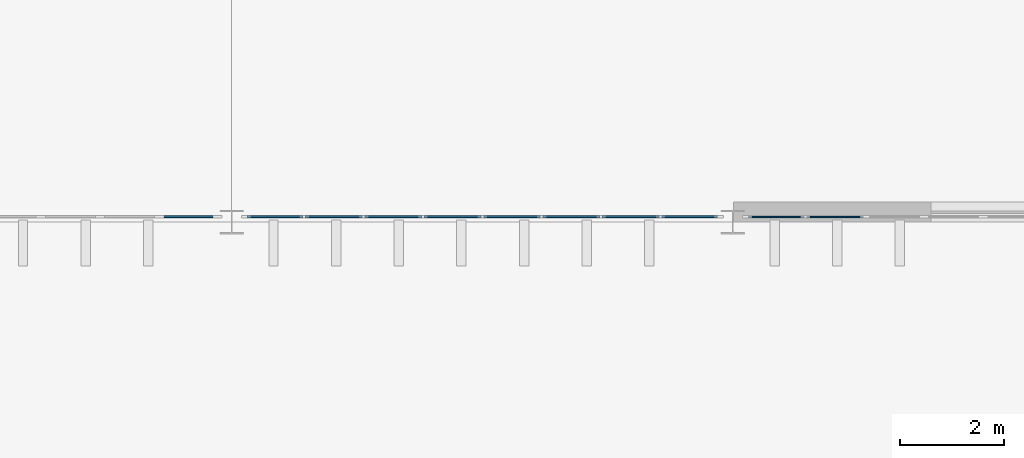
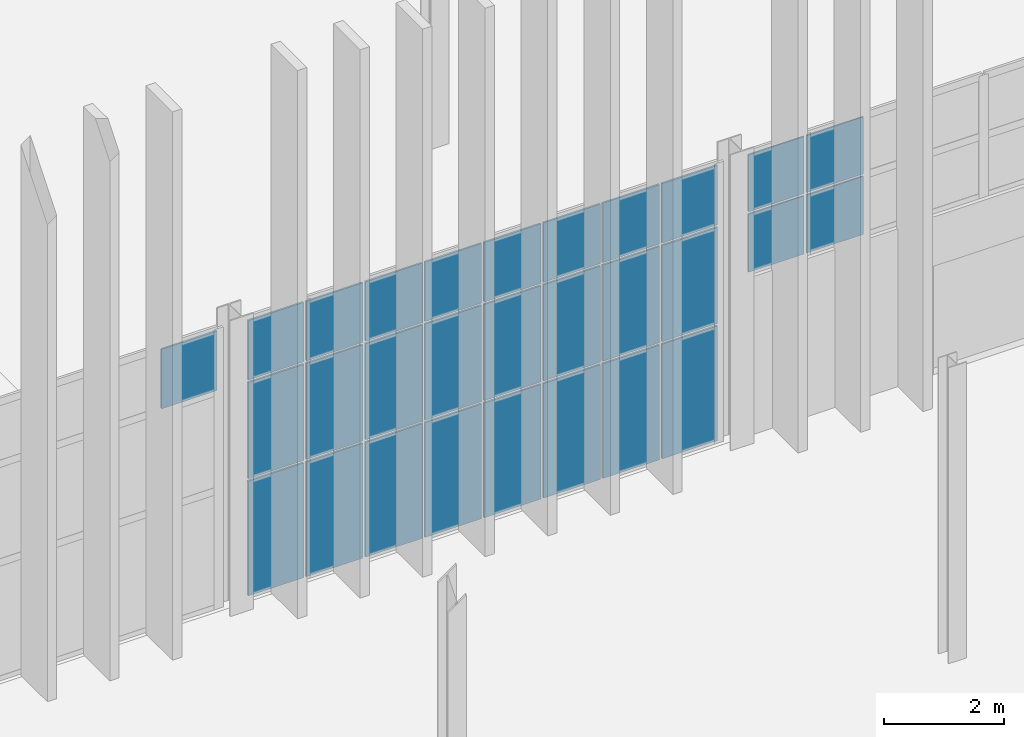
# One storey, part 74 of 139: 29 plates, 3 elements without a shape of their own.
"""IFC4 building model written with IfcOpenShell, lengths in metres."""

from ifc_helpers import new_model, si_unit, direction, frame, origin, origin_2d, place, context, subcontext, project, spatial, rectangle, extrude, material, layer, layer_set, type_object, element, aggregate, save


model = new_model("IFC4")

# Units and contexts
model_context = context("Model", 3, precision=1e-05, world=origin(), true_north=direction((0.0, 1.0)))
body_context = subcontext(model_context, "Body", "Model", "MODEL_VIEW")
ifc_project = project(units=[si_unit("LENGTHUNIT", "METRE"), si_unit("AREAUNIT", "SQUARE_METRE"), si_unit("VOLUMEUNIT", "CUBIC_METRE"), si_unit("PLANEANGLEUNIT", "RADIAN"), si_unit("MASSUNIT", "GRAM", prefix="KILO")], contexts=[model_context])

# Site, building, storey
site_placement = place(None, origin())
site = spatial("IfcSite", under=ifc_project, at=site_placement, CompositionType="ELEMENT")
building_placement = place(site_placement, origin())
building = spatial("IfcBuilding", under=site, at=building_placement, Name="Yeouljin Market Hall", CompositionType="ELEMENT")
storey_placement = place(building_placement, origin())
storey = spatial("IfcBuildingStorey", under=building, at=storey_placement, Name="L00", CompositionType="ELEMENT", Elevation=0.0)

# Curtain wall, plates
ifc_material_1 = material(Name="Thermally Broken Aluminium", Category="aluminium")
ifc_layer_1 = layer(ifc_material_1, 0.179931640625)
ifc_layer_set_1 = layer_set([ifc_layer_1], Name="Thermally Broken Aluminium")
curtain_wall_type = type_object("IfcCurtainWallType", Name="CW_HallNave_System", PredefinedType="USERDEFINED", material=ifc_layer_set_1)
curtain_wall_1_placement = place(storey_placement, origin())
curtain_wall_1 = element("IfcCurtainWall", 1, at=curtain_wall_1_placement, inside=storey, type_object=curtain_wall_type, Name="Curtain wall CW-V1S-L00-10", ObjectType="CURTAIN WALL", PredefinedType="USERDEFINED")
ifc_material_2 = material(Name="Low-E Insulated Glass", Category="glass")
ifc_layer_2 = layer(ifc_material_2, 0.028076171875)
ifc_layer_set_2 = layer_set([ifc_layer_2], Name="Low-E Insulated Glass")
plate_type_1 = type_object("IfcPlateType", Name="CWPanel_LowE_28", PredefinedType="CURTAIN_PANEL", material=ifc_layer_set_2)
plate_1_placement = place(storey_placement, frame((123.75634765625, 36.10009765625, 3.248046875), z_axis=(0.0, 0.0, 1.0), x_axis=(-1.0, 0.0, 0.0)))
plate_1 = element("IfcPlate", 2, at=plate_1_placement, type_object=plate_type_1, Name="CW-01 panel 7.1", PredefinedType="CURTAIN_PANEL", context=body_context, shape_type="SweptSolid", body=[
    extrude(rectangle(XDim=1.089599609375, YDim=0.028076171875, at=origin_2d()), origin(), (0.0, 0.0, 1.0), 1.177978515625),
])
plate_2_placement = place(storey_placement, frame((123.75634765625, 36.10009765625, 4.47412109375), z_axis=(0.0, 0.0, 1.0), x_axis=(-1.0, 0.0, 0.0)))
plate_2 = element("IfcPlate", 3, at=plate_2_placement, type_object=plate_type_1, Name="CW-01 panel 7.2", PredefinedType="CURTAIN_PANEL", context=body_context, shape_type="SweptSolid", body=[
    extrude(rectangle(XDim=1.089599609375, YDim=0.028076171875, at=origin_2d()), origin(), (0.0, 0.0, 1.0), 1.157958984375),
])
plate_3_placement = place(storey_placement, frame((122.630859375, 36.10009765625, 3.248046875), z_axis=(0.0, 0.0, 1.0), x_axis=(-1.0, 0.0, 0.0)))
plate_3 = element("IfcPlate", 4, at=plate_3_placement, type_object=plate_type_1, Name="CW-01 panel 8.1", PredefinedType="CURTAIN_PANEL", context=body_context, shape_type="SweptSolid", body=[
    extrude(rectangle(XDim=1.0654296875, YDim=0.028076171875, at=origin_2d()), origin(), (0.0, 0.0, 1.0), 1.177978515625),
])
plate_4_placement = place(storey_placement, frame((122.630859375, 36.10009765625, 4.47412109375), z_axis=(0.0, 0.0, 1.0), x_axis=(-1.0, 0.0, 0.0)))
plate_4 = element("IfcPlate", 5, at=plate_4_placement, type_object=plate_type_1, Name="CW-01 panel 8.2", PredefinedType="CURTAIN_PANEL", context=body_context, shape_type="SweptSolid", body=[
    extrude(rectangle(XDim=1.0654296875, YDim=0.028076171875, at=origin_2d()), origin(), (0.0, 0.0, 1.0), 1.157958984375),
])
aggregate(curtain_wall_1, [plate_1, plate_2, plate_3, plate_4])

# Curtain wall, plate
curtain_wall_2_placement = place(storey_placement, origin())
curtain_wall_2 = element("IfcCurtainWall", 6, at=curtain_wall_2_placement, inside=storey, type_object=curtain_wall_type, Name="Curtain wall CW-V1S-L00-08", ObjectType="CURTAIN WALL", PredefinedType="USERDEFINED")
ifc_material_3 = material(Name="Low-E Insulated Glass", Category="glass")
ifc_layer_3 = layer(ifc_material_3, 0.035888671875)
ifc_layer_set_3 = layer_set([ifc_layer_3], Name="Low-E Insulated Glass")
plate_type_2 = type_object("IfcPlateType", Name="CWPanel_TripleLowE_36", PredefinedType="CURTAIN_PANEL", material=ifc_layer_set_3)
plate_5_placement = place(storey_placement, frame((111.369140625, 36.10009765625, 4.424072265625), z_axis=(0.0, 0.0, 1.0), x_axis=(-1.0, 0.0, 0.0)))
plate_5 = element("IfcPlate", 7, at=plate_5_placement, type_object=plate_type_2, Name="CW-01 panel 1.3", PredefinedType="CURTAIN_PANEL", context=body_context, shape_type="SweptSolid", body=[
    extrude(rectangle(XDim=1.0654296875, YDim=0.035888671875, at=origin_2d()), origin(), (0.0, 0.0, 1.0), 1.2080078125),
])
aggregate(curtain_wall_2, [plate_5])

# Curtain wall, plates
curtain_wall_3_placement = place(storey_placement, origin())
curtain_wall_3 = element("IfcCurtainWall", 8, at=curtain_wall_3_placement, inside=storey, type_object=curtain_wall_type, Name="Curtain wall CW-V1S-L00-09", ObjectType="CURTAIN WALL", PredefinedType="USERDEFINED")
plate_6_placement = place(storey_placement, frame((120.96923828125, 36.10009765625, 0.0478515625), z_axis=(0.0, 0.0, 1.0), x_axis=(-1.0, 0.0, 0.0)))
plate_6 = element("IfcPlate", 9, at=plate_6_placement, type_object=plate_type_2, Name="CW-01 panel 1.1", PredefinedType="CURTAIN_PANEL", context=body_context, shape_type="SweptSolid", body=[
    extrude(rectangle(XDim=1.0654296875, YDim=0.035888671875, at=origin_2d()), origin(), (0.0, 0.0, 1.0), 2.327880859375),
])
plate_7_placement = place(storey_placement, frame((120.96923828125, 36.10009765625, 2.423828125), z_axis=(0.0, 0.0, 1.0), x_axis=(-1.0, 0.0, 0.0)))
plate_7 = element("IfcPlate", 10, at=plate_7_placement, type_object=plate_type_2, Name="CW-01 panel 1.2", PredefinedType="CURTAIN_PANEL", context=body_context, shape_type="SweptSolid", body=[
    extrude(rectangle(XDim=1.0654296875, YDim=0.035888671875, at=origin_2d()), origin(), (0.0, 0.0, 1.0), 1.951904296875),
])
plate_8_placement = place(storey_placement, frame((120.96923828125, 36.10009765625, 4.424072265625), z_axis=(0.0, 0.0, 1.0), x_axis=(-1.0, 0.0, 0.0)))
plate_8 = element("IfcPlate", 11, at=plate_8_placement, type_object=plate_type_2, Name="CW-01 panel 1.3", PredefinedType="CURTAIN_PANEL", context=body_context, shape_type="SweptSolid", body=[
    extrude(rectangle(XDim=1.0654296875, YDim=0.035888671875, at=origin_2d()), origin(), (0.0, 0.0, 1.0), 1.2080078125),
])
plate_9_placement = place(storey_placement, frame((119.84375, 36.10009765625, 0.0478515625), z_axis=(0.0, 0.0, 1.0), x_axis=(-1.0, 0.0, 0.0)))
plate_9 = element("IfcPlate", 12, at=plate_9_placement, type_object=plate_type_2, Name="CW-01 panel 2.1", PredefinedType="CURTAIN_PANEL", context=body_context, shape_type="SweptSolid", body=[
    extrude(rectangle(XDim=1.089599609375, YDim=0.035888671875, at=origin_2d()), origin(), (0.0, 0.0, 1.0), 2.327880859375),
])
plate_10_placement = place(storey_placement, frame((119.84375, 36.10009765625, 2.423828125), z_axis=(0.0, 0.0, 1.0), x_axis=(-1.0, 0.0, 0.0)))
plate_10 = element("IfcPlate", 13, at=plate_10_placement, type_object=plate_type_2, Name="CW-01 panel 2.2", PredefinedType="CURTAIN_PANEL", context=body_context, shape_type="SweptSolid", body=[
    extrude(rectangle(XDim=1.089599609375, YDim=0.035888671875, at=origin_2d()), origin(), (0.0, 0.0, 1.0), 1.951904296875),
])
plate_11_placement = place(storey_placement, frame((119.84375, 36.10009765625, 4.424072265625), z_axis=(0.0, 0.0, 1.0), x_axis=(-1.0, 0.0, 0.0)))
plate_11 = element("IfcPlate", 14, at=plate_11_placement, type_object=plate_type_2, Name="CW-01 panel 2.3", PredefinedType="CURTAIN_PANEL", context=body_context, shape_type="SweptSolid", body=[
    extrude(rectangle(XDim=1.089599609375, YDim=0.035888671875, at=origin_2d()), origin(), (0.0, 0.0, 1.0), 1.2080078125),
])
plate_12_placement = place(storey_placement, frame((118.706298828125, 36.10009765625, 0.0478515625), z_axis=(0.0, 0.0, 1.0), x_axis=(-1.0, 0.0, 0.0)))
plate_12 = element("IfcPlate", 15, at=plate_12_placement, type_object=plate_type_2, Name="CW-01 panel 3.1", PredefinedType="CURTAIN_PANEL", context=body_context, shape_type="SweptSolid", body=[
    extrude(rectangle(XDim=1.089599609375, YDim=0.035888671875, at=origin_2d()), origin(), (0.0, 0.0, 1.0), 2.327880859375),
])
plate_13_placement = place(storey_placement, frame((118.706298828125, 36.10009765625, 2.423828125), z_axis=(0.0, 0.0, 1.0), x_axis=(-1.0, 0.0, 0.0)))
plate_13 = element("IfcPlate", 16, at=plate_13_placement, type_object=plate_type_2, Name="CW-01 panel 3.2", PredefinedType="CURTAIN_PANEL", context=body_context, shape_type="SweptSolid", body=[
    extrude(rectangle(XDim=1.089599609375, YDim=0.035888671875, at=origin_2d()), origin(), (0.0, 0.0, 1.0), 1.951904296875),
])
plate_14_placement = place(storey_placement, frame((118.706298828125, 36.10009765625, 4.424072265625), z_axis=(0.0, 0.0, 1.0), x_axis=(-1.0, 0.0, 0.0)))
plate_14 = element("IfcPlate", 17, at=plate_14_placement, type_object=plate_type_2, Name="CW-01 panel 3.3", PredefinedType="CURTAIN_PANEL", context=body_context, shape_type="SweptSolid", body=[
    extrude(rectangle(XDim=1.089599609375, YDim=0.035888671875, at=origin_2d()), origin(), (0.0, 0.0, 1.0), 1.2080078125),
])
plate_15_placement = place(storey_placement, frame((117.56884765625, 36.10009765625, 0.0478515625), z_axis=(0.0, 0.0, 1.0), x_axis=(-1.0, 0.0, 0.0)))
plate_15 = element("IfcPlate", 18, at=plate_15_placement, type_object=plate_type_2, Name="CW-01 panel 4.1", PredefinedType="CURTAIN_PANEL", context=body_context, shape_type="SweptSolid", body=[
    extrude(rectangle(XDim=1.089599609375, YDim=0.035888671875, at=origin_2d()), origin(), (0.0, 0.0, 1.0), 2.327880859375),
])
plate_16_placement = place(storey_placement, frame((117.56884765625, 36.10009765625, 2.423828125), z_axis=(0.0, 0.0, 1.0), x_axis=(-1.0, 0.0, 0.0)))
plate_16 = element("IfcPlate", 19, at=plate_16_placement, type_object=plate_type_2, Name="CW-01 panel 4.2", PredefinedType="CURTAIN_PANEL", context=body_context, shape_type="SweptSolid", body=[
    extrude(rectangle(XDim=1.089599609375, YDim=0.035888671875, at=origin_2d()), origin(), (0.0, 0.0, 1.0), 1.951904296875),
])
plate_17_placement = place(storey_placement, frame((117.56884765625, 36.10009765625, 4.424072265625), z_axis=(0.0, 0.0, 1.0), x_axis=(-1.0, 0.0, 0.0)))
plate_17 = element("IfcPlate", 20, at=plate_17_placement, type_object=plate_type_2, Name="CW-01 panel 4.3", PredefinedType="CURTAIN_PANEL", context=body_context, shape_type="SweptSolid", body=[
    extrude(rectangle(XDim=1.089599609375, YDim=0.035888671875, at=origin_2d()), origin(), (0.0, 0.0, 1.0), 1.2080078125),
])
plate_18_placement = place(storey_placement, frame((116.43115234375, 36.10009765625, 0.0478515625), z_axis=(0.0, 0.0, 1.0), x_axis=(-1.0, 0.0, 0.0)))
plate_18 = element("IfcPlate", 21, at=plate_18_placement, type_object=plate_type_2, Name="CW-01 panel 5.1", PredefinedType="CURTAIN_PANEL", context=body_context, shape_type="SweptSolid", body=[
    extrude(rectangle(XDim=1.089599609375, YDim=0.035888671875, at=origin_2d()), origin(), (0.0, 0.0, 1.0), 2.327880859375),
])
plate_19_placement = place(storey_placement, frame((116.43115234375, 36.10009765625, 2.423828125), z_axis=(0.0, 0.0, 1.0), x_axis=(-1.0, 0.0, 0.0)))
plate_19 = element("IfcPlate", 22, at=plate_19_placement, type_object=plate_type_2, Name="CW-01 panel 5.2", PredefinedType="CURTAIN_PANEL", context=body_context, shape_type="SweptSolid", body=[
    extrude(rectangle(XDim=1.089599609375, YDim=0.035888671875, at=origin_2d()), origin(), (0.0, 0.0, 1.0), 1.951904296875),
])
plate_20_placement = place(storey_placement, frame((116.43115234375, 36.10009765625, 4.424072265625), z_axis=(0.0, 0.0, 1.0), x_axis=(-1.0, 0.0, 0.0)))
plate_20 = element("IfcPlate", 23, at=plate_20_placement, type_object=plate_type_2, Name="CW-01 panel 5.3", PredefinedType="CURTAIN_PANEL", context=body_context, shape_type="SweptSolid", body=[
    extrude(rectangle(XDim=1.089599609375, YDim=0.035888671875, at=origin_2d()), origin(), (0.0, 0.0, 1.0), 1.2080078125),
])
plate_21_placement = place(storey_placement, frame((115.293701171875, 36.10009765625, 0.0478515625), z_axis=(0.0, 0.0, 1.0), x_axis=(-1.0, 0.0, 0.0)))
plate_21 = element("IfcPlate", 24, at=plate_21_placement, type_object=plate_type_2, Name="CW-01 panel 6.1", PredefinedType="CURTAIN_PANEL", context=body_context, shape_type="SweptSolid", body=[
    extrude(rectangle(XDim=1.089599609375, YDim=0.035888671875, at=origin_2d()), origin(), (0.0, 0.0, 1.0), 2.327880859375),
])
plate_22_placement = place(storey_placement, frame((115.293701171875, 36.10009765625, 2.423828125), z_axis=(0.0, 0.0, 1.0), x_axis=(-1.0, 0.0, 0.0)))
plate_22 = element("IfcPlate", 25, at=plate_22_placement, type_object=plate_type_2, Name="CW-01 panel 6.2", PredefinedType="CURTAIN_PANEL", context=body_context, shape_type="SweptSolid", body=[
    extrude(rectangle(XDim=1.089599609375, YDim=0.035888671875, at=origin_2d()), origin(), (0.0, 0.0, 1.0), 1.951904296875),
])
plate_23_placement = place(storey_placement, frame((115.293701171875, 36.10009765625, 4.424072265625), z_axis=(0.0, 0.0, 1.0), x_axis=(-1.0, 0.0, 0.0)))
plate_23 = element("IfcPlate", 26, at=plate_23_placement, type_object=plate_type_2, Name="CW-01 panel 6.3", PredefinedType="CURTAIN_PANEL", context=body_context, shape_type="SweptSolid", body=[
    extrude(rectangle(XDim=1.089599609375, YDim=0.035888671875, at=origin_2d()), origin(), (0.0, 0.0, 1.0), 1.2080078125),
])
plate_24_placement = place(storey_placement, frame((114.15625, 36.10009765625, 0.0478515625), z_axis=(0.0, 0.0, 1.0), x_axis=(-1.0, 0.0, 0.0)))
plate_24 = element("IfcPlate", 27, at=plate_24_placement, type_object=plate_type_2, Name="CW-01 panel 7.1", PredefinedType="CURTAIN_PANEL", context=body_context, shape_type="SweptSolid", body=[
    extrude(rectangle(XDim=1.089599609375, YDim=0.035888671875, at=origin_2d()), origin(), (0.0, 0.0, 1.0), 2.327880859375),
])
plate_25_placement = place(storey_placement, frame((114.15625, 36.10009765625, 2.423828125), z_axis=(0.0, 0.0, 1.0), x_axis=(-1.0, 0.0, 0.0)))
plate_25 = element("IfcPlate", 28, at=plate_25_placement, type_object=plate_type_2, Name="CW-01 panel 7.2", PredefinedType="CURTAIN_PANEL", context=body_context, shape_type="SweptSolid", body=[
    extrude(rectangle(XDim=1.089599609375, YDim=0.035888671875, at=origin_2d()), origin(), (0.0, 0.0, 1.0), 1.951904296875),
])
plate_26_placement = place(storey_placement, frame((114.15625, 36.10009765625, 4.424072265625), z_axis=(0.0, 0.0, 1.0), x_axis=(-1.0, 0.0, 0.0)))
plate_26 = element("IfcPlate", 29, at=plate_26_placement, type_object=plate_type_2, Name="CW-01 panel 7.3", PredefinedType="CURTAIN_PANEL", context=body_context, shape_type="SweptSolid", body=[
    extrude(rectangle(XDim=1.089599609375, YDim=0.035888671875, at=origin_2d()), origin(), (0.0, 0.0, 1.0), 1.2080078125),
])
plate_27_placement = place(storey_placement, frame((113.03076171875, 36.10009765625, 0.0478515625), z_axis=(0.0, 0.0, 1.0), x_axis=(-1.0, 0.0, 0.0)))
plate_27 = element("IfcPlate", 30, at=plate_27_placement, type_object=plate_type_2, Name="CW-01 panel 8.1", PredefinedType="CURTAIN_PANEL", context=body_context, shape_type="SweptSolid", body=[
    extrude(rectangle(XDim=1.0654296875, YDim=0.035888671875, at=origin_2d()), origin(), (0.0, 0.0, 1.0), 2.327880859375),
])
plate_28_placement = place(storey_placement, frame((113.03076171875, 36.10009765625, 2.423828125), z_axis=(0.0, 0.0, 1.0), x_axis=(-1.0, 0.0, 0.0)))
plate_28 = element("IfcPlate", 31, at=plate_28_placement, type_object=plate_type_2, Name="CW-01 panel 8.2", PredefinedType="CURTAIN_PANEL", context=body_context, shape_type="SweptSolid", body=[
    extrude(rectangle(XDim=1.0654296875, YDim=0.035888671875, at=origin_2d()), origin(), (0.0, 0.0, 1.0), 1.951904296875),
])
plate_29_placement = place(storey_placement, frame((113.03076171875, 36.10009765625, 4.424072265625), z_axis=(0.0, 0.0, 1.0), x_axis=(-1.0, 0.0, 0.0)))
plate_29 = element("IfcPlate", 32, at=plate_29_placement, type_object=plate_type_2, Name="CW-01 panel 8.3", PredefinedType="CURTAIN_PANEL", context=body_context, shape_type="SweptSolid", body=[
    extrude(rectangle(XDim=1.0654296875, YDim=0.035888671875, at=origin_2d()), origin(), (0.0, 0.0, 1.0), 1.2080078125),
])
aggregate(curtain_wall_3, [plate_6, plate_7, plate_8, plate_9, plate_10, plate_11, plate_12, plate_13, plate_14, plate_15, plate_16, plate_17, plate_18, plate_19, plate_20, plate_21, plate_22, plate_23, plate_24, plate_25, plate_26, plate_27, plate_28, plate_29])

save(model, "model.ifc")
